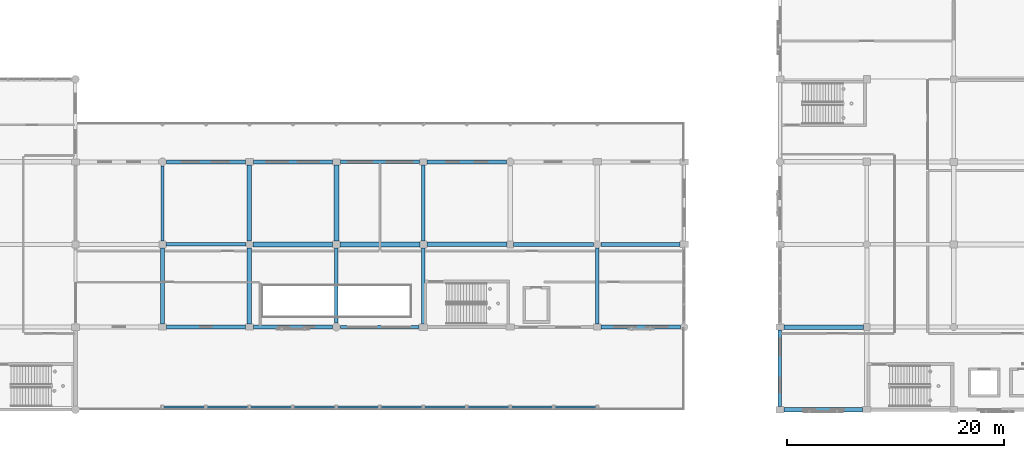
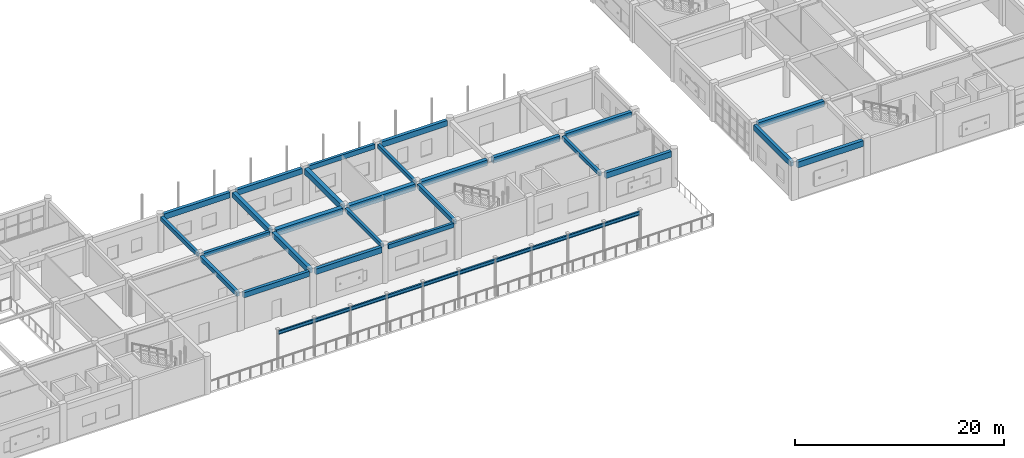
# One storey, part 58 of 160: 31 beams.
"""IFC4 building model written with IfcOpenShell, lengths in metres."""

from ifc_helpers import new_model, si_unit, direction, frame, origin, origin_2d, place, context, subcontext, project, spatial, rectangle, i_section, extrude, material, material_profile, profile_set, type_object, element, save


model = new_model("IFC4")

# Units and contexts
model_context = context("Model", 3, precision=1e-05, world=origin(), true_north=direction((0.0, 1.0)))
body_context = subcontext(model_context, "Body", "Model", "MODEL_VIEW")
ifc_project = project(units=[si_unit("LENGTHUNIT", "METRE"), si_unit("AREAUNIT", "SQUARE_METRE"), si_unit("VOLUMEUNIT", "CUBIC_METRE"), si_unit("PLANEANGLEUNIT", "RADIAN"), si_unit("MASSUNIT", "GRAM", prefix="KILO")], contexts=[model_context])

# Site, building, storey
site_placement = place(None, origin())
site = spatial("IfcSite", under=ifc_project, at=site_placement, CompositionType="ELEMENT")
building_placement = place(site_placement, origin())
building = spatial("IfcBuilding", under=site, at=building_placement, Name="Kharva Crest Polytechnic", CompositionType="ELEMENT")
storey_placement = place(building_placement, frame((0.0, 0.0, 4.5)))
storey = spatial("IfcBuildingStorey", under=building, at=storey_placement, Name="L01", CompositionType="ELEMENT", Elevation=4.5)

# Beams
ifc_material_1 = material(Name="Concrete C35/45", Category="concrete")
ifc_material_profile_1 = material_profile(ifc_material_1, rectangle(XDim=0.300048828125, YDim=0.449951171875, at=origin_2d()), Name="RECT 300 X 450")
ifc_profile_set_1 = profile_set([ifc_material_profile_1], Name="Concrete C35/45")
beam_type_1 = type_object("IfcBeamType", Name="BM-RC-300X450", PredefinedType="BEAM", material=ifc_profile_set_1)
beam_1_placement = place(storey_placement, frame((80.0, 7.9599609375, 3.9951171875), z_axis=(0.0, 1.0, 0.0), x_axis=(-1.0, 0.0, 0.0)))
element("IfcBeam", 1, at=beam_1_placement, inside=storey, type_object=beam_type_1, Name="L01 Girder 11/B-C", PredefinedType="BEAM", context=body_context, shape_type="SweptSolid", body=[
    extrude(rectangle(XDim=0.300048828125, YDim=0.449951171875, at=origin_2d()), origin(), (0.0, 0.0, 1.0), 6.900146484375),
])
beam_2_placement = place(storey_placement, frame((104.0, 7.875, 3.9951171875), z_axis=(0.0, 1.0, 0.0), x_axis=(-1.0, 0.0, 0.0)))
element("IfcBeam", 2, at=beam_2_placement, inside=storey, type_object=beam_type_1, Name="L01 Girder 14/B-C", PredefinedType="BEAM", context=body_context, shape_type="SweptSolid", body=[
    extrude(rectangle(XDim=0.300048828125, YDim=0.449951171875, at=origin_2d()), origin(), (0.0, 0.0, 1.0), 6.9951171875),
])
ifc_material_profile_2 = material_profile(ifc_material_1, rectangle(XDim=0.300048828125, YDim=0.47998046875, at=origin_2d()), Name="RECT 300 X 480")
ifc_profile_set_2 = profile_set([ifc_material_profile_2], Name="Concrete C35/45")
beam_type_2 = type_object("IfcBeamType", Name="BM-RC-300X480", PredefinedType="BEAM", material=ifc_profile_set_2)
beam_3_placement = place(storey_placement, frame((64.0, 15.510009765625, 3.97998046875), z_axis=(0.0, 1.0, 0.0), x_axis=(-1.0, 0.0, 0.0)))
element("IfcBeam", 3, at=beam_3_placement, inside=storey, type_object=beam_type_2, Name="L01 Girder 9/C-D", PredefinedType="BEAM", context=body_context, shape_type="SweptSolid", body=[
    extrude(rectangle(XDim=0.300048828125, YDim=0.47998046875, at=origin_2d()), origin(), (0.0, 0.0, 1.0), 6.929931640625),
])
beam_4_placement = place(storey_placement, frame((88.0, 15.52490234375, 3.97998046875), z_axis=(0.0, 1.0, 0.0), x_axis=(-1.0, 0.0, 0.0)))
element("IfcBeam", 4, at=beam_4_placement, inside=storey, type_object=beam_type_2, Name="L01 Girder 12/C-D", PredefinedType="BEAM", context=body_context, shape_type="SweptSolid", body=[
    extrude(rectangle(XDim=0.300048828125, YDim=0.47998046875, at=origin_2d()), origin(), (0.0, 0.0, 1.0), 7.0),
])
ifc_material_profile_3 = material_profile(ifc_material_1, rectangle(XDim=0.320068359375, YDim=0.5, at=origin_2d()), Name="RECT 320 X 500")
ifc_profile_set_3 = profile_set([ifc_material_profile_3], Name="Concrete C35/45")
beam_type_3 = type_object("IfcBeamType", Name="BM-RC-320X500", PredefinedType="BEAM", material=ifc_profile_set_3)
beam_5_placement = place(storey_placement, frame((64.31005859375, 15.199951171875, 3.969970703125), z_axis=(1.0, 0.0, 0.0), x_axis=(0.0, 1.0, 0.0)))
element("IfcBeam", 5, at=beam_5_placement, inside=storey, type_object=beam_type_3, Name="L01 Beam C/9-10", PredefinedType="BEAM", context=body_context, shape_type="SweptSolid", body=[
    extrude(rectangle(XDim=0.320068359375, YDim=0.5, at=origin_2d()), origin(), (0.0, 0.0, 1.0), 7.35986328125),
])
ifc_material_profile_4 = material_profile(ifc_material_1, rectangle(XDim=0.340087890625, YDim=0.52001953125, at=origin_2d()), Name="RECT 340 X 520")
ifc_profile_set_4 = profile_set([ifc_material_profile_4], Name="Concrete C35/45")
beam_type_4 = type_object("IfcBeamType", Name="BM-RC-340X520", PredefinedType="BEAM", material=ifc_profile_set_4)
beam_6_placement = place(storey_placement, frame((64.0, 7.875, 3.9599609375), z_axis=(0.0, 1.0, 0.0), x_axis=(-1.0, 0.0, 0.0)))
element("IfcBeam", 6, at=beam_6_placement, inside=storey, type_object=beam_type_4, Name="L01 Girder 9/B-C", PredefinedType="BEAM", context=body_context, shape_type="SweptSolid", body=[
    extrude(rectangle(XDim=0.340087890625, YDim=0.52001953125, at=origin_2d()), origin(), (0.0, 0.0, 1.0), 7.014892578125),
])
beam_7_placement = place(storey_placement, frame((88.0, 7.89990234375, 3.9599609375), z_axis=(0.0, 1.0, 0.0), x_axis=(-1.0, 0.0, 0.0)))
element("IfcBeam", 7, at=beam_7_placement, inside=storey, type_object=beam_type_4, Name="L01 Girder 12/B-C", PredefinedType="BEAM", context=body_context, shape_type="SweptSolid", body=[
    extrude(rectangle(XDim=0.340087890625, YDim=0.52001953125, at=origin_2d()), origin(), (0.0, 0.0, 1.0), 6.97509765625),
])
ifc_material_profile_5 = material_profile(ifc_material_1, rectangle(XDim=0.3798828125, YDim=0.60009765625, at=origin_2d()), Name="RECT 380 X 600")
ifc_profile_set_5 = profile_set([ifc_material_profile_5], Name="Concrete C35/45")
beam_type_5 = type_object("IfcBeamType", Name="BM-RC-380X600", PredefinedType="BEAM", material=ifc_profile_set_5)
beam_8_placement = place(storey_placement, frame((104.330078125, 15.199951171875, 3.919921875), z_axis=(1.0, 0.0, 0.0), x_axis=(0.0, 1.0, 0.0)))
element("IfcBeam", 8, at=beam_8_placement, inside=storey, type_object=beam_type_5, Name="L01 Beam C/14-15", PredefinedType="BEAM", context=body_context, shape_type="SweptSolid", body=[
    extrude(rectangle(XDim=0.3798828125, YDim=0.60009765625, at=origin_2d()), origin(), (0.0, 0.0, 1.0), 7.294921875),
])
ifc_material_profile_6 = material_profile(ifc_material_1, rectangle(XDim=0.39990234375, YDim=0.580078125, at=origin_2d()), Name="RECT 400 X 580")
ifc_profile_set_6 = profile_set([ifc_material_profile_6], Name="Concrete C35/45")
beam_type_6 = type_object("IfcBeamType", Name="BM-RC-400X580", PredefinedType="BEAM", material=ifc_profile_set_6)
beam_9_placement = place(storey_placement, frame((72.0, 15.530029296875, 3.929931640625), z_axis=(0.0, 1.0, 0.0), x_axis=(-1.0, 0.0, 0.0)))
element("IfcBeam", 9, at=beam_9_placement, inside=storey, type_object=beam_type_6, Name="L01 Girder 10/C-D", PredefinedType="BEAM", context=body_context, shape_type="SweptSolid", body=[
    extrude(rectangle(XDim=0.39990234375, YDim=0.580078125, at=origin_2d()), origin(), (0.0, 0.0, 1.0), 6.969970703125),
])
ifc_material_profile_7 = material_profile(ifc_material_1, rectangle(XDim=0.39990234375, YDim=0.6201171875, at=origin_2d()), Name="RECT 400 X 620")
ifc_profile_set_7 = profile_set([ifc_material_profile_7], Name="Concrete C35/45")
beam_type_7 = type_object("IfcBeamType", Name="BM-RC-400X620", PredefinedType="BEAM", material=ifc_profile_set_7)
beam_10_placement = place(storey_placement, frame((72.0, 7.875, 3.909912109375), z_axis=(0.0, 1.0, 0.0), x_axis=(-1.0, 0.0, 0.0)))
element("IfcBeam", 10, at=beam_10_placement, inside=storey, type_object=beam_type_7, Name="L01 Girder 10/B-C", PredefinedType="BEAM", context=body_context, shape_type="SweptSolid", body=[
    extrude(rectangle(XDim=0.39990234375, YDim=0.6201171875, at=origin_2d()), origin(), (0.0, 0.0, 1.0), 6.9951171875),
])
ifc_material_profile_8 = material_profile(ifc_material_1, rectangle(XDim=0.39990234375, YDim=0.64990234375, at=origin_2d()), Name="RECT 400 X 650")
ifc_profile_set_8 = profile_set([ifc_material_profile_8], Name="Concrete C35/45")
beam_type_8 = type_object("IfcBeamType", Name="BM-RC-400X650", PredefinedType="BEAM", material=ifc_profile_set_8)
beam_11_placement = place(storey_placement, frame((96.31005859375, 15.199951171875, 3.89501953125), z_axis=(1.0, 0.0, 0.0), x_axis=(0.0, 1.0, 0.0)))
element("IfcBeam", 11, at=beam_11_placement, inside=storey, type_object=beam_type_8, Name="L01 Beam C/13-14", PredefinedType="BEAM", context=body_context, shape_type="SweptSolid", body=[
    extrude(rectangle(XDim=0.39990234375, YDim=0.64990234375, at=origin_2d()), origin(), (0.0, 0.0, 1.0), 7.35986328125),
])
ifc_material_profile_9 = material_profile(ifc_material_1, rectangle(XDim=0.419921875, YDim=0.659912109375, at=origin_2d()), Name="RECT 420 X 660")
ifc_profile_set_9 = profile_set([ifc_material_profile_9], Name="Concrete C35/45")
beam_type_9 = type_object("IfcBeamType", Name="BM-RC-420X660", PredefinedType="BEAM", material=ifc_profile_set_9)
beam_12_placement = place(storey_placement, frame((121.175048828125, 7.60009765625, 3.889892578125), z_axis=(1.0, 0.0, 0.0), x_axis=(0.0, 1.0, 0.0)))
element("IfcBeam", 12, at=beam_12_placement, inside=storey, type_object=beam_type_9, Name="L01 Beam B/16J-17", PredefinedType="BEAM", context=body_context, shape_type="SweptSolid", body=[
    extrude(rectangle(XDim=0.419921875, YDim=0.659912109375, at=origin_2d()), origin(), (0.0, 0.0, 1.0), 7.31494140625),
])
beam_13_placement = place(storey_placement, frame((88.324951171875, 15.199951171875, 3.889892578125), z_axis=(1.0, 0.0, 0.0), x_axis=(0.0, 1.0, 0.0)))
element("IfcBeam", 13, at=beam_13_placement, inside=storey, type_object=beam_type_9, Name="L01 Beam C/12-13", PredefinedType="BEAM", context=body_context, shape_type="SweptSolid", body=[
    extrude(rectangle(XDim=0.419921875, YDim=0.659912109375, at=origin_2d()), origin(), (0.0, 0.0, 1.0), 7.364990234375),
])
ifc_material_profile_10 = material_profile(ifc_material_1, rectangle(XDim=0.449951171875, YDim=0.679931640625, at=origin_2d()), Name="RECT 450 X 680")
ifc_profile_set_10 = profile_set([ifc_material_profile_10], Name="Concrete C35/45")
beam_type_10 = type_object("IfcBeamType", Name="BM-RC-450X680", PredefinedType="BEAM", material=ifc_profile_set_10)
beam_14_placement = place(storey_placement, frame((80.0, 15.5400390625, 3.8798828125), z_axis=(0.0, 1.0, 0.0), x_axis=(-1.0, 0.0, 0.0)))
element("IfcBeam", 14, at=beam_14_placement, inside=storey, type_object=beam_type_10, Name="L01 Girder 11/C-D", PredefinedType="BEAM", context=body_context, shape_type="SweptSolid", body=[
    extrude(rectangle(XDim=0.449951171875, YDim=0.679931640625, at=origin_2d()), origin(), (0.0, 0.0, 1.0), 6.98486328125),
])
ifc_material_profile_11 = material_profile(ifc_material_1, rectangle(XDim=0.449951171875, YDim=0.719970703125, at=origin_2d()), Name="RECT 450 X 720")
ifc_profile_set_11 = profile_set([ifc_material_profile_11], Name="Concrete C35/45")
beam_type_11 = type_object("IfcBeamType", Name="BM-RC-450X720", PredefinedType="BEAM", material=ifc_profile_set_11)
beam_15_placement = place(storey_placement, frame((80.340087890625, 15.199951171875, 3.860107421875), z_axis=(1.0, 0.0, 0.0), x_axis=(0.0, 1.0, 0.0)))
element("IfcBeam", 15, at=beam_15_placement, inside=storey, type_object=beam_type_11, Name="L01 Beam C/11-12", PredefinedType="BEAM", context=body_context, shape_type="SweptSolid", body=[
    extrude(rectangle(XDim=0.449951171875, YDim=0.719970703125, at=origin_2d()), origin(), (0.0, 0.0, 1.0), 7.3349609375),
])
ifc_material_profile_12 = material_profile(ifc_material_1, rectangle(XDim=0.47998046875, YDim=0.75, at=origin_2d()), Name="RECT 480 X 750")
ifc_profile_set_12 = profile_set([ifc_material_profile_12], Name="Concrete C35/45")
beam_type_12 = type_object("IfcBeamType", Name="BM-RC-480X750", PredefinedType="BEAM", material=ifc_profile_set_12)
beam_16_placement = place(storey_placement, frame((72.330078125, 15.199951171875, 3.844970703125), z_axis=(1.0, 0.0, 0.0), x_axis=(0.0, 1.0, 0.0)))
element("IfcBeam", 16, at=beam_16_placement, inside=storey, type_object=beam_type_12, Name="L01 Beam C/10-11", PredefinedType="BEAM", context=body_context, shape_type="SweptSolid", body=[
    extrude(rectangle(XDim=0.47998046875, YDim=0.75, at=origin_2d()), origin(), (0.0, 0.0, 1.0), 7.329833984375),
])
ifc_material_2 = material(Name="Steel S355", Category="steel")
ifc_material_profile_13 = material_profile(ifc_material_2, i_section(OverallWidth=0.178955078125, OverallDepth=0.409912109375, WebThickness=0.0087890625, FlangeThickness=0.014404296875, at=origin_2d()), Name="W410X67")
ifc_profile_set_13 = profile_set([ifc_material_profile_13], Name="Steel S355")
beam_type_13 = type_object("IfcBeamType", Name="BM-STL-W410X67", PredefinedType="BEAM", material=ifc_profile_set_13)
for number, where, z_axis, x_axis, name in (
    (17, (64.02001953125, 0.25, 4.0849609375), (1.0, 0.0, 0.0), (0.0, 1.0, 0.0), "L01 Street Arcade Girder 1"),
    (18, (72.02001953125, 0.25, 4.0849609375), (1.0, 0.0, 0.0), (0.0, 1.0, 0.0), "L01 Street Arcade Girder 2"),
    (19, (80.02001953125, 0.25, 4.0849609375), (1.0, 0.0, 0.0), (0.0, 1.0, 0.0), "L01 Street Arcade Girder 3"),
    (20, (88.02001953125, 0.25, 4.0849609375), (1.0, 0.0, 0.0), (0.0, 1.0, 0.0), "L01 Street Arcade Girder 4"),
    (21, (96.02001953125, 0.25, 4.0849609375), (1.0, 0.0, 0.0), (0.0, 1.0, 0.0), "L01 Street Arcade Girder 5"),
):
    element("IfcBeam", number, at=place(storey_placement, frame(where, z_axis=z_axis, x_axis=x_axis)), inside=storey, type_object=beam_type_13, Name=name, PredefinedType="BEAM", context=body_context, shape_type="SweptSolid", body=[
        extrude(i_section(OverallWidth=0.178955078125, OverallDepth=0.409912109375, WebThickness=0.0087890625, FlangeThickness=0.014404296875, at=origin_2d()), origin(), (0.0, 0.0, 1.0), 7.9599609375),
    ])
ifc_material_profile_14 = material_profile(ifc_material_1, rectangle(XDim=0.280029296875, YDim=0.5, at=origin_2d()), Name="RECT 280 X 500")
ifc_profile_set_14 = profile_set([ifc_material_profile_14], Name="Concrete C35/45")
beam_type_14 = type_object("IfcBeamType", Name="SP-RC-280X500", PredefinedType="SPANDREL", material=ifc_profile_set_14)
beam_17_placement = place(storey_placement, frame((80.360107421875, 7.60009765625, 3.969970703125), z_axis=(1.0, 0.0, 0.0), x_axis=(0.0, 1.0, 0.0)))
element("IfcBeam", 22, at=beam_17_placement, inside=storey, type_object=beam_type_14, Name="L01 Beam B/11-12", PredefinedType="SPANDREL", context=body_context, shape_type="SweptSolid", body=[
    extrude(rectangle(XDim=0.280029296875, YDim=0.5, at=origin_2d()), origin(), (0.0, 0.0, 1.0), 7.264892578125),
])
ifc_material_profile_15 = material_profile(ifc_material_1, rectangle(XDim=0.300048828125, YDim=0.550048828125, at=origin_2d()), Name="RECT 300 X 550")
ifc_profile_set_15 = profile_set([ifc_material_profile_15], Name="Concrete C35/45")
beam_type_15 = type_object("IfcBeamType", Name="SP-RC-300X550", PredefinedType="SPANDREL", material=ifc_profile_set_15)
beam_18_placement = place(storey_placement, frame((80.375, 22.800048828125, 3.945068359375), z_axis=(1.0, 0.0, 0.0), x_axis=(0.0, 1.0, 0.0)))
element("IfcBeam", 23, at=beam_18_placement, inside=storey, type_object=beam_type_15, Name="L01 Beam D/11-12", PredefinedType="SPANDREL", context=body_context, shape_type="SweptSolid", body=[
    extrude(rectangle(XDim=0.300048828125, YDim=0.550048828125, at=origin_2d()), origin(), (0.0, 0.0, 1.0), 7.264892578125),
])
ifc_material_profile_16 = material_profile(ifc_material_1, rectangle(XDim=0.340087890625, YDim=0.60009765625, at=origin_2d()), Name="RECT 340 X 600")
ifc_profile_set_16 = profile_set([ifc_material_profile_16], Name="Concrete C35/45")
beam_type_16 = type_object("IfcBeamType", Name="SP-RC-340X600", PredefinedType="SPANDREL", material=ifc_profile_set_16)
beam_19_placement = place(storey_placement, frame((64.375, 7.60009765625, 3.919921875), z_axis=(1.0, 0.0, 0.0), x_axis=(0.0, 1.0, 0.0)))
element("IfcBeam", 24, at=beam_19_placement, inside=storey, type_object=beam_type_16, Name="L01 Beam B/9-10", PredefinedType="SPANDREL", context=body_context, shape_type="SweptSolid", body=[
    extrude(rectangle(XDim=0.340087890625, YDim=0.60009765625, at=origin_2d()), origin(), (0.0, 0.0, 1.0), 7.264892578125),
])
ifc_material_profile_17 = material_profile(ifc_material_1, rectangle(XDim=0.35009765625, YDim=0.6201171875, at=origin_2d()), Name="RECT 350 X 620")
ifc_profile_set_17 = profile_set([ifc_material_profile_17], Name="Concrete C35/45")
beam_type_17 = type_object("IfcBeamType", Name="SP-RC-350X620", PredefinedType="SPANDREL", material=ifc_profile_set_17)
beam_20_placement = place(storey_placement, frame((120.800048828125, 0.300048828125, 3.909912109375), z_axis=(0.0, 1.0, 0.0), x_axis=(-1.0, 0.0, 0.0)))
element("IfcBeam", 25, at=beam_20_placement, inside=storey, type_object=beam_type_17, Name="L01 Girder 16J/A-B", PredefinedType="SPANDREL", context=body_context, shape_type="SweptSolid", body=[
    extrude(rectangle(XDim=0.35009765625, YDim=0.6201171875, at=origin_2d()), origin(), (0.0, 0.0, 1.0), 7.02490234375),
])
ifc_material_profile_18 = material_profile(ifc_material_1, rectangle(XDim=0.360107421875, YDim=0.64990234375, at=origin_2d()), Name="RECT 360 X 650")
ifc_profile_set_18 = profile_set([ifc_material_profile_18], Name="Concrete C35/45")
beam_type_18 = type_object("IfcBeamType", Name="SP-RC-360X650", PredefinedType="SPANDREL", material=ifc_profile_set_18)
for number, where, z_axis, x_axis, name in (
    (26, (72.360107421875, 7.60009765625, 3.89501953125), (1.0, 0.0, 0.0), (0.0, 1.0, 0.0), "L01 Beam B/10-11"),
    (27, (104.360107421875, 7.60009765625, 3.89501953125), (1.0, 0.0, 0.0), (0.0, 1.0, 0.0), "L01 Beam B/14-15"),
):
    element("IfcBeam", number, at=place(storey_placement, frame(where, z_axis=z_axis, x_axis=x_axis)), inside=storey, type_object=beam_type_18, Name=name, PredefinedType="SPANDREL", context=body_context, shape_type="SweptSolid", body=[
        extrude(rectangle(XDim=0.360107421875, YDim=0.64990234375, at=origin_2d()), origin(), (0.0, 0.0, 1.0), 7.27978515625),
    ])
beam_21_placement = place(storey_placement, frame((64.360107421875, 22.800048828125, 3.89501953125), z_axis=(1.0, 0.0, 0.0), x_axis=(0.0, 1.0, 0.0)))
element("IfcBeam", 28, at=beam_21_placement, inside=storey, type_object=beam_type_18, Name="L01 Beam D/9-10", PredefinedType="SPANDREL", context=body_context, shape_type="SweptSolid", body=[
    extrude(rectangle(XDim=0.360107421875, YDim=0.64990234375, at=origin_2d()), origin(), (0.0, 0.0, 1.0), 7.264892578125),
])
beam_22_placement = place(storey_placement, frame((72.375, 22.800048828125, 3.89501953125), z_axis=(1.0, 0.0, 0.0), x_axis=(0.0, 1.0, 0.0)))
element("IfcBeam", 29, at=beam_22_placement, inside=storey, type_object=beam_type_18, Name="L01 Beam D/10-11", PredefinedType="SPANDREL", context=body_context, shape_type="SweptSolid", body=[
    extrude(rectangle(XDim=0.360107421875, YDim=0.64990234375, at=origin_2d()), origin(), (0.0, 0.0, 1.0), 7.25),
])
beam_23_placement = place(storey_placement, frame((88.360107421875, 22.800048828125, 3.89501953125), z_axis=(1.0, 0.0, 0.0), x_axis=(0.0, 1.0, 0.0)))
element("IfcBeam", 30, at=beam_23_placement, inside=storey, type_object=beam_type_18, Name="L01 Beam D/12-13", PredefinedType="SPANDREL", context=body_context, shape_type="SweptSolid", body=[
    extrude(rectangle(XDim=0.360107421875, YDim=0.64990234375, at=origin_2d()), origin(), (0.0, 0.0, 1.0), 7.27978515625),
])
ifc_material_profile_19 = material_profile(ifc_material_1, rectangle(XDim=0.3798828125, YDim=0.679931640625, at=origin_2d()), Name="RECT 380 X 680")
ifc_profile_set_19 = profile_set([ifc_material_profile_19], Name="Concrete C35/45")
beam_type_19 = type_object("IfcBeamType", Name="SP-RC-380X680", PredefinedType="SPANDREL", material=ifc_profile_set_19)
beam_24_placement = place(storey_placement, frame((121.175048828125, 0.0, 3.8798828125), z_axis=(1.0, 0.0, 0.0), x_axis=(0.0, 1.0, 0.0)))
element("IfcBeam", 31, at=beam_24_placement, inside=storey, type_object=beam_type_19, Name="L01 Beam A/16J-17", PredefinedType="SPANDREL", context=body_context, shape_type="SweptSolid", body=[
    extrude(rectangle(XDim=0.3798828125, YDim=0.679931640625, at=origin_2d()), origin(), (0.0, 0.0, 1.0), 7.25),
])

save(model, "model.ifc")
